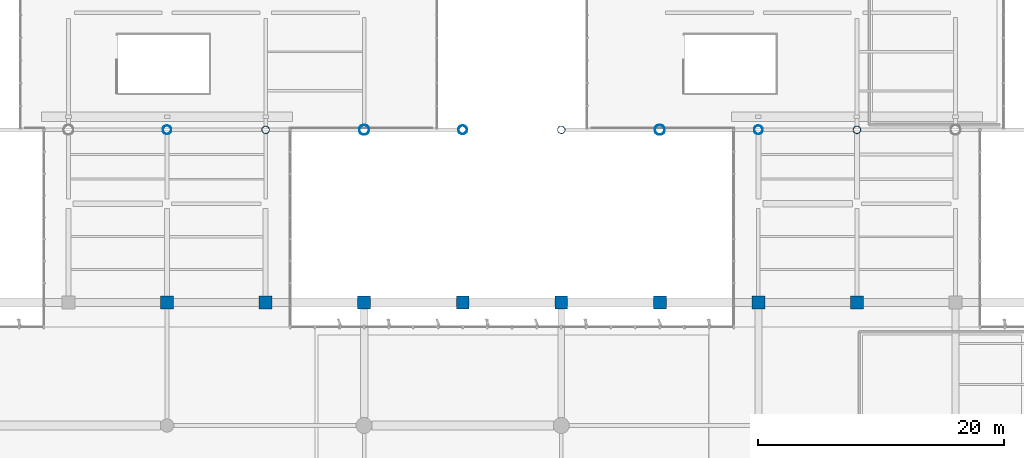
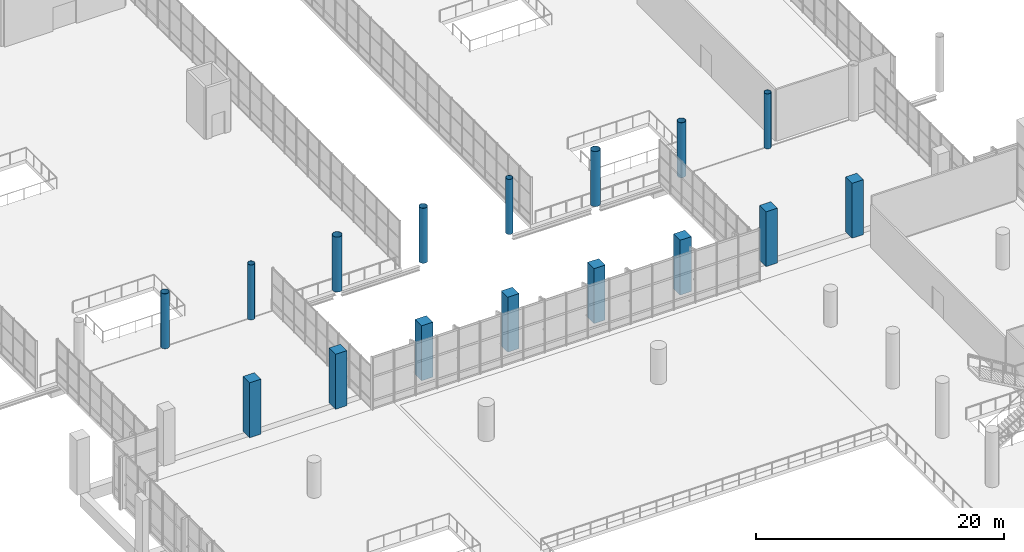
# One storey, part 11 of 176: 16 columns.
"""IFC4 building model written with IfcOpenShell, lengths in metres."""

from ifc_helpers import new_model, si_unit, direction, frame, origin, origin_2d, place, context, subcontext, project, spatial, rectangle, hollow_circle, extrude, material, material_profile, profile_set, type_object, element, save


model = new_model("IFC4")

# Units and contexts
model_context = context("Model", 3, precision=1e-05, world=origin(), true_north=direction((0.0, 1.0)))
body_context = subcontext(model_context, "Body", "Model", "MODEL_VIEW")
ifc_project = project(units=[si_unit("LENGTHUNIT", "METRE"), si_unit("AREAUNIT", "SQUARE_METRE"), si_unit("VOLUMEUNIT", "CUBIC_METRE"), si_unit("PLANEANGLEUNIT", "RADIAN"), si_unit("MASSUNIT", "GRAM", prefix="KILO")], contexts=[model_context])

# Site, building, storey
site_placement = place(None, origin())
site = spatial("IfcSite", under=ifc_project, at=site_placement, CompositionType="ELEMENT")
building_placement = place(site_placement, origin())
building = spatial("IfcBuilding", under=site, at=building_placement, Name="Khorjan Park Terminus", CompositionType="ELEMENT")
storey_placement = place(building_placement, frame((0.0, 0.0, 6.0)))
storey = spatial("IfcBuildingStorey", under=building, at=storey_placement, Name="L01", CompositionType="ELEMENT", Elevation=6.0)

# Columns
ifc_material_1 = material(Name="Concrete C50/60", Category="concrete")
ifc_material_profile_1 = material_profile(ifc_material_1, rectangle(XDim=1.05, YDim=1.05, at=origin_2d()), Name="RC 1050x1050")
ifc_profile_set_1 = profile_set([ifc_material_profile_1], Name="Concrete C50/60")
column_type_1 = type_object("IfcColumnType", Name="COL-RC1050", PredefinedType="COLUMN", material=ifc_profile_set_1)
for number, where, z_axis, x_axis, name in (
    (1, (64.0, 88.0, 0.0), (0.0, 0.0, 1.0), (1.0, 0.0, 0.0), "Structural column C-RC105 (L01 #305)"),
    (2, (72.0, 88.0, 0.0), (0.0, 0.0, 1.0), (1.0, 0.0, 0.0), "Structural column C-RC105 (L01 #321)"),
    (3, (80.0, 88.0, 0.0), (0.0, 0.0, 1.0), (1.0, 0.0, 0.0), "Structural column C-RC105 (L01 #342)"),
    (4, (88.0, 88.0, 0.0), (0.0, 0.0, 1.0), (1.0, 0.0, 0.0), "Structural column C-RC105 (L01 #358)"),
    (5, (96.0, 88.0, 0.0), (0.0, 0.0, 1.0), (1.0, 0.0, 0.0), "Structural column C-RC105 (L01 #379)"),
    (6, (104.0, 88.0, 0.0), (0.0, 0.0, 1.0), (1.0, 0.0, 0.0), "Structural column C-RC105 (L01 #395)"),
    (7, (112.0, 88.0, 0.0), (0.0, 0.0, 1.0), (1.0, 0.0, 0.0), "Structural column C-RC105 (L01 #423)"),
    (8, (120.0, 88.0, 0.0), (0.0, 0.0, 1.0), (1.0, 0.0, 0.0), "Structural column C-RC105 (L01 #438)"),
):
    element("IfcColumn", number, at=place(storey_placement, frame(where, z_axis=z_axis, x_axis=x_axis)), inside=storey, type_object=column_type_1, Name=name, PredefinedType="COLUMN", context=body_context, shape_type="SweptSolid", body=[
        extrude(rectangle(XDim=1.05, YDim=1.05, at=origin_2d()), origin(), (0.0, 0.0, 1.0), 5.4),
    ])
ifc_material_2 = material(Name="Steel S355", Category="steel")
ifc_material_profile_2 = material_profile(ifc_material_2, hollow_circle(Radius=0.305, WallThickness=0.02, at=origin_2d()), Name="CHS 610x20")
ifc_profile_set_2 = profile_set([ifc_material_profile_2], Name="Steel S355")
column_type_2 = type_object("IfcColumnType", Name="COL-SH610E", PredefinedType="COLUMN", material=ifc_profile_set_2)
for number, where, z_axis, x_axis, name in (
    (9, (72.0, 102.0, 0.0), (0.0, 0.0, 1.0), (1.0, 0.0, 0.0), "Structural column SC-61 (L01 #103)"),
    (10, (96.0, 102.0, 0.0), (0.0, 0.0, 1.0), (1.0, 0.0, 0.0), "Structural column SC-61 (L01 #138)"),
    (11, (120.0, 102.0, 0.0), (0.0, 0.0, 1.0), (1.0, 0.0, 0.0), "Structural column SC-61 (L01 #178)"),
):
    element("IfcColumn", number, at=place(storey_placement, frame(where, z_axis=z_axis, x_axis=x_axis)), inside=storey, type_object=column_type_2, Name=name, PredefinedType="COLUMN", context=body_context, shape_type="SweptSolid", body=[
        extrude(hollow_circle(Radius=0.305, WallThickness=0.02, at=origin_2d()), origin(), (0.0, 0.0, 1.0), 5.4),
    ])
ifc_material_profile_3 = material_profile(ifc_material_2, hollow_circle(Radius=0.3555, WallThickness=0.025, at=origin_2d()), Name="CHS 711x25")
ifc_profile_set_3 = profile_set([ifc_material_profile_3], Name="Steel S355")
column_type_3 = type_object("IfcColumnType", Name="COL-SH711E", PredefinedType="COLUMN", material=ifc_profile_set_3)
for number, where, z_axis, x_axis, name in (
    (12, (64.0, 102.0, 0.0), (0.0, 0.0, 1.0), (1.0, 0.0, 0.0), "Structural column SC-71 (L01 #89)"),
    (13, (88.0, 102.0, 0.0), (0.0, 0.0, 1.0), (1.0, 0.0, 0.0), "Structural column SC-71 (L01 #126)"),
    (14, (112.0, 102.0, 0.0), (0.0, 0.0, 1.0), (1.0, 0.0, 0.0), "Structural column SC-71 (L01 #164)"),
):
    element("IfcColumn", number, at=place(storey_placement, frame(where, z_axis=z_axis, x_axis=x_axis)), inside=storey, type_object=column_type_3, Name=name, PredefinedType="COLUMN", context=body_context, shape_type="SweptSolid", body=[
        extrude(hollow_circle(Radius=0.3555, WallThickness=0.025, at=origin_2d()), origin(), (0.0, 0.0, 1.0), 5.4),
    ])
ifc_material_profile_4 = material_profile(ifc_material_2, hollow_circle(Radius=0.4065, WallThickness=0.025, at=origin_2d()), Name="CHS 813x25")
ifc_profile_set_4 = profile_set([ifc_material_profile_4], Name="Steel S355")
column_type_4 = type_object("IfcColumnType", Name="COL-SH813E", PredefinedType="COLUMN", material=ifc_profile_set_4)
for number, where, z_axis, x_axis, name in (
    (15, (80.0, 102.0, 0.0), (0.0, 0.0, 1.0), (1.0, 0.0, 0.0), "Structural column SC-81 (L01 #117)"),
    (16, (104.0, 102.0, 0.0), (0.0, 0.0, 1.0), (1.0, 0.0, 0.0), "Structural column SC-81 (L01 #150)"),
):
    element("IfcColumn", number, at=place(storey_placement, frame(where, z_axis=z_axis, x_axis=x_axis)), inside=storey, type_object=column_type_4, Name=name, PredefinedType="COLUMN", context=body_context, shape_type="SweptSolid", body=[
        extrude(hollow_circle(Radius=0.4065, WallThickness=0.025, at=origin_2d()), origin(), (0.0, 0.0, 1.0), 5.4),
    ])

save(model, "model.ifc")
